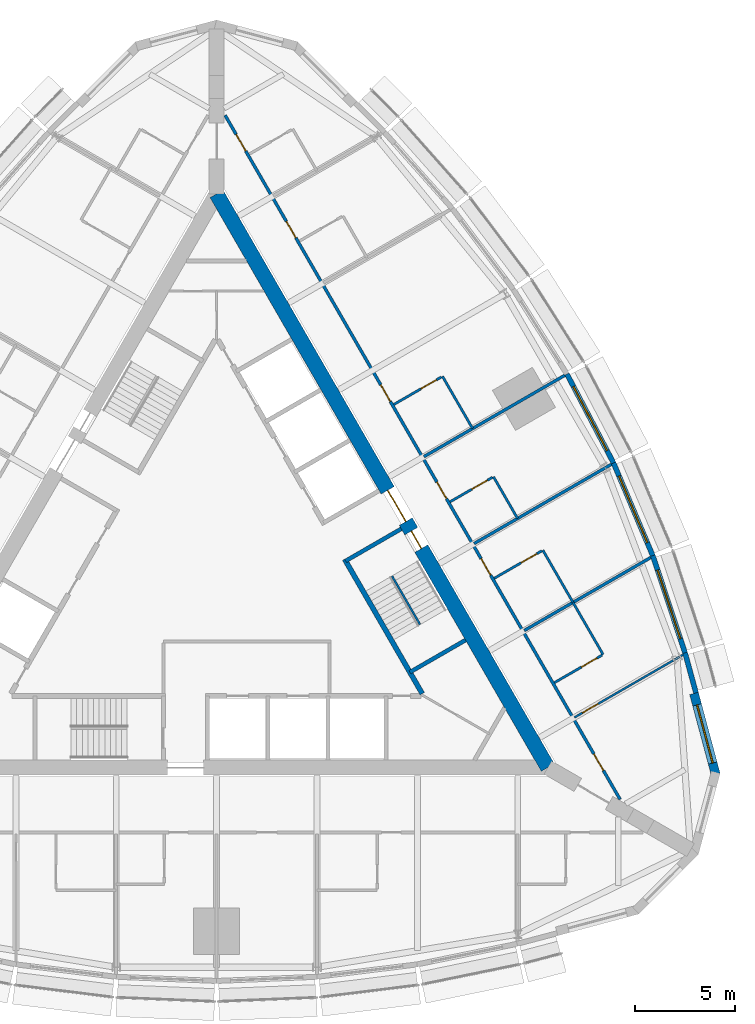
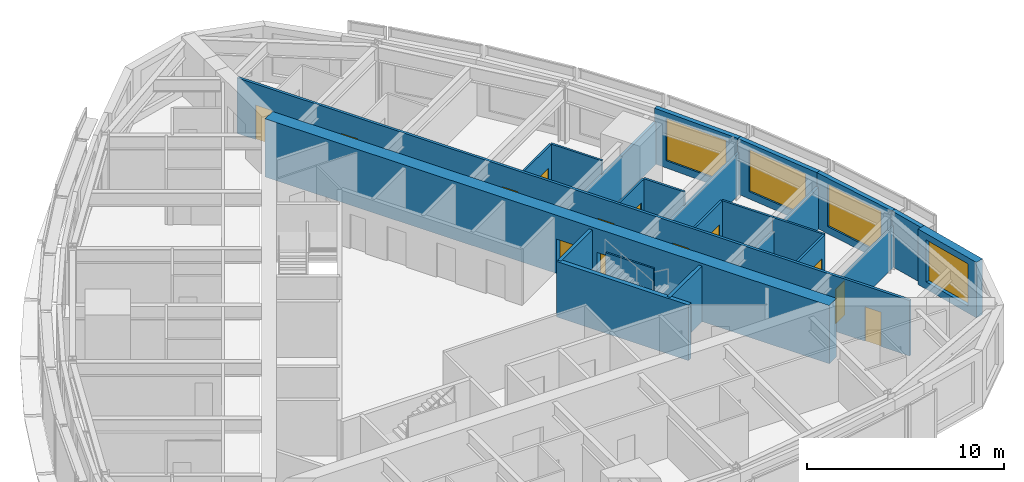
# One storey, part 12 of 15: 23 walls, 13 doors, 4 windows, 17 openings.
"""IFC4 building model written with IfcOpenShell, lengths in metres."""

from ifc_helpers import new_model, si_unit, direction, frame, frame_2d, origin, place, context, subcontext, project, spatial, rectangle, extrude, material, layer, layer_set, type_object, element, fill, save


model = new_model("IFC4")

# Units and contexts
model_context = context("Model", 3, precision=1e-05, world=origin(), true_north=direction((0.0, 1.0)))
body_context = subcontext(model_context, "Body", "Model", "MODEL_VIEW")
ifc_project = project(units=[si_unit("LENGTHUNIT", "METRE"), si_unit("AREAUNIT", "SQUARE_METRE"), si_unit("VOLUMEUNIT", "CUBIC_METRE"), si_unit("PLANEANGLEUNIT", "RADIAN"), si_unit("MASSUNIT", "GRAM", prefix="KILO")], contexts=[model_context])

# Site, building, storey
site_placement = place(None, origin())
site = spatial("IfcSite", under=ifc_project, at=site_placement, CompositionType="ELEMENT")
building_placement = place(site_placement, origin())
building = spatial("IfcBuilding", under=site, at=building_placement, Name="Trikona Tower", CompositionType="ELEMENT")
storey_placement = place(building_placement, frame((0.0, 0.0, 204.5)))
storey = spatial("IfcBuildingStorey", under=building, at=storey_placement, Name="L54", CompositionType="ELEMENT", Elevation=204.5)

# Wall
ifc_material_1 = material(Name="Metal stud and cement board", Category="gypsum")
ifc_layer_1 = layer(ifc_material_1, 0.1201171875)
ifc_layer_set_1 = layer_set([ifc_layer_1], Name="Bathroom wall 120")
wall_type_1 = type_object("IfcWallType", Name="Bathroom wall 120", PredefinedType="PLUMBINGWALL", material=ifc_layer_set_1)
wall_1_placement = place(storey_placement, frame((19.25341796875, -3.895263671875, 0.0), z_axis=(0.0, 0.0, 1.0), x_axis=(-0.499990139034, 0.866031096941, 0.0)))
element("IfcWall", 1, at=wall_1_placement, inside=storey, type_object=wall_type_1, Name="Bathroom wall 5406.1", PredefinedType="PLUMBINGWALL", context=body_context, shape_type="SweptSolid", body=[
    extrude(rectangle(XDim=3.0, YDim=0.1201171875, at=frame_2d((1.5, 0.0))), origin(), (0.0, 0.0, 1.0), 3.43505859375),
])

# Wall, opening, door
wall_2_placement = place(storey_placement, frame((16.82861328125, -5.295166015625, 0.0), z_axis=(0.0, 0.0, 1.0), x_axis=(0.866035715982, 0.499982138324, 0.0)))
wall_2 = element("IfcWall", 2, at=wall_2_placement, inside=storey, type_object=wall_type_1, Name="Bathroom wall 5406.1", PredefinedType="PLUMBINGWALL", context=body_context, shape_type="SweptSolid", body=[
    extrude(rectangle(XDim=2.73974609375, YDim=0.1201171875, at=frame_2d((1.369873046875, 0.0))), origin(), (0.0, 0.0, 1.0), 3.43505859375),
])
opening_1_placement = place(wall_2_placement, frame((1.550048828125, 0.0, 0.0)))
opening_1 = element("IfcOpeningElement", 3, at=opening_1_placement, cuts=wall_2, Name="Opening D2", PredefinedType="OPENING", context=body_context, shape_type="SweptSolid", body=[
    extrude(rectangle(XDim=0.89990234375, YDim=2.1298828125, at=frame_2d((0.449951171875, 1.06494140625))), frame((0.0, 0.070068359375, 0.0), z_axis=(0.0, -1.0, 0.0), x_axis=(1.0, 0.0, 0.0)), (0.0, 0.0, 1.0), 0.14013671875),
])
ifc_material_2 = material(Name="Steel door frame with solid-core timber leaf", Category="steel")
door_type_1 = type_object("IfcDoorType", Name="Bathroom door 900x2130", OperationType="SLIDING_TO_LEFT", PredefinedType="DOOR", material=ifc_material_2)
door_1_placement = place(opening_1_placement, origin())
door_1 = element("IfcDoor", 4, at=door_1_placement, inside=storey, type_object=door_type_1, Name="Bathroom door 5406.1", OperationType="SLIDING_TO_LEFT", OverallHeight=2.1298828125, OverallWidth=0.89990234375, PredefinedType="DOOR", context=body_context, shape_type="SweptSolid", body=[
    extrude(rectangle(XDim=0.89990234375, YDim=2.1298828125, at=frame_2d((0.449951171875, 1.06494140625))), frame((0.0, 0.02490234375, 0.0), z_axis=(0.0, -1.0, 0.0), x_axis=(1.0, 0.0, 0.0)), (0.0, 0.0, 1.0), 0.050048828125),
])
fill(opening_1, door_1)

# Wall
wall_3_placement = place(storey_placement, frame((17.75341796875, -1.297119140625, 0.0), z_axis=(0.0, 0.0, 1.0), x_axis=(-0.499990139034, 0.866031096941, 0.0)))
element("IfcWall", 5, at=wall_3_placement, inside=storey, type_object=wall_type_1, Name="Bathroom wall 5407", PredefinedType="PLUMBINGWALL", context=body_context, shape_type="SweptSolid", body=[
    extrude(rectangle(XDim=3.0, YDim=0.1201171875, at=frame_2d((1.5, 0.0))), origin(), (0.0, 0.0, 1.0), 3.43505859375),
])

# Wall, opening, door
wall_4_placement = place(storey_placement, frame((13.82861328125, -0.09912109375, 0.0), z_axis=(0.0, 0.0, 1.0), x_axis=(0.865997131366, 0.500048966069, 0.0)))
wall_4 = element("IfcWall", 6, at=wall_4_placement, inside=storey, type_object=wall_type_1, Name="Bathroom wall 5407", PredefinedType="PLUMBINGWALL", context=body_context, shape_type="SweptSolid", body=[
    extrude(rectangle(XDim=2.739990234375, YDim=0.1201171875, at=frame_2d((1.3701171875, 0.0))), origin(), (0.0, 0.0, 1.0), 3.43505859375),
])
opening_2_placement = place(wall_4_placement, frame((1.550048828125, 0.0, 0.0)))
opening_2 = element("IfcOpeningElement", 7, at=opening_2_placement, cuts=wall_4, Name="Opening D2", PredefinedType="OPENING", context=body_context, shape_type="SweptSolid", body=[
    extrude(rectangle(XDim=0.89990234375, YDim=2.1298828125, at=frame_2d((0.449951171875, 1.06494140625))), frame((0.0, 0.070068359375, 0.0), z_axis=(0.0, -1.0, 0.0), x_axis=(1.0, 0.0, 0.0)), (0.0, 0.0, 1.0), 0.14013671875),
])
door_2_placement = place(opening_2_placement, origin())
door_2 = element("IfcDoor", 8, at=door_2_placement, inside=storey, type_object=door_type_1, Name="Bathroom door 5407", OperationType="SLIDING_TO_LEFT", OverallHeight=2.1298828125, OverallWidth=0.89990234375, PredefinedType="DOOR", context=body_context, shape_type="SweptSolid", body=[
    extrude(rectangle(XDim=0.89990234375, YDim=2.1298828125, at=frame_2d((0.449951171875, 1.06494140625))), frame((0.0, 0.02490234375, 0.0), z_axis=(0.0, -1.0, 0.0), x_axis=(1.0, 0.0, 0.0)), (0.0, 0.0, 1.0), 0.050048828125),
])
fill(opening_2, door_2)

# Wall
wall_5_placement = place(storey_placement, frame((14.993408203125, 2.883056640625, 0.0), z_axis=(0.0, 0.0, 1.0), x_axis=(-0.500001309137, 0.866024647952, 0.0)))
element("IfcWall", 9, at=wall_5_placement, inside=storey, type_object=wall_type_1, Name="Bathroom wall 5408", PredefinedType="PLUMBINGWALL", context=body_context, shape_type="SweptSolid", body=[
    extrude(rectangle(XDim=2.39990234375, YDim=0.1201171875, at=frame_2d((1.199951171875, 0.0))), origin(), (0.0, 0.0, 1.0), 3.43505859375),
])

# Wall, opening, door
wall_6_placement = place(storey_placement, frame((11.62841796875, 3.71142578125, 0.0), z_axis=(0.0, 0.0, 1.0), x_axis=(0.866048967903, 0.499959183527, 0.0)))
wall_6 = element("IfcWall", 10, at=wall_6_placement, inside=storey, type_object=wall_type_1, Name="Bathroom wall 5408", PredefinedType="PLUMBINGWALL", context=body_context, shape_type="SweptSolid", body=[
    extrude(rectangle(XDim=2.440185546875, YDim=0.1201171875, at=frame_2d((1.22021484375, 0.0))), origin(), (0.0, 0.0, 1.0), 3.43505859375),
])
opening_3_placement = place(wall_6_placement, frame((1.25, 0.0, 0.0)))
opening_3 = element("IfcOpeningElement", 11, at=opening_3_placement, cuts=wall_6, Name="Opening D2", PredefinedType="OPENING", context=body_context, shape_type="SweptSolid", body=[
    extrude(rectangle(XDim=0.89990234375, YDim=2.1298828125, at=frame_2d((0.449951171875, 1.06494140625))), frame((0.0, 0.070068359375, 0.0), z_axis=(0.0, -1.0, 0.0), x_axis=(1.0, 0.0, 0.0)), (0.0, 0.0, 1.0), 0.14013671875),
])
door_3_placement = place(opening_3_placement, origin())
door_3 = element("IfcDoor", 12, at=door_3_placement, inside=storey, type_object=door_type_1, Name="Bathroom door 5408", OperationType="SLIDING_TO_LEFT", OverallHeight=2.1298828125, OverallWidth=0.89990234375, PredefinedType="DOOR", context=body_context, shape_type="SweptSolid", body=[
    extrude(rectangle(XDim=0.89990234375, YDim=2.1298828125, at=frame_2d((0.449951171875, 1.06494140625))), frame((0.0, 0.02490234375, 0.0), z_axis=(0.0, -1.0, 0.0), x_axis=(1.0, 0.0, 0.0)), (0.0, 0.0, 1.0), 0.050048828125),
])
fill(opening_3, door_3)

# Wall
wall_7_placement = place(storey_placement, frame((12.75341796875, 7.363037109375, 0.0), z_axis=(0.0, 0.0, 1.0), x_axis=(-0.499990139034, 0.866031096941, 0.0)))
element("IfcWall", 13, at=wall_7_placement, inside=storey, type_object=wall_type_1, Name="Bathroom wall 5409", PredefinedType="PLUMBINGWALL", context=body_context, shape_type="SweptSolid", body=[
    extrude(rectangle(XDim=3.0, YDim=0.1201171875, at=frame_2d((1.5, 0.0))), origin(), (0.0, 0.0, 1.0), 3.43505859375),
])

# Wall, opening, door
wall_8_placement = place(storey_placement, frame((8.82861328125, 8.561279296875, 0.0), z_axis=(0.0, 0.0, 1.0), x_axis=(0.866035715982, 0.499982138324, 0.0)))
wall_8 = element("IfcWall", 14, at=wall_8_placement, inside=storey, type_object=wall_type_1, Name="Bathroom wall 5409", PredefinedType="PLUMBINGWALL", context=body_context, shape_type="SweptSolid", body=[
    extrude(rectangle(XDim=2.73974609375, YDim=0.1201171875, at=frame_2d((1.369873046875, 0.0))), origin(), (0.0, 0.0, 1.0), 3.43505859375),
])
opening_4_placement = place(wall_8_placement, frame((1.550048828125, 0.0, 0.0)))
opening_4 = element("IfcOpeningElement", 15, at=opening_4_placement, cuts=wall_8, Name="Opening D2", PredefinedType="OPENING", context=body_context, shape_type="SweptSolid", body=[
    extrude(rectangle(XDim=0.89990234375, YDim=2.1298828125, at=frame_2d((0.449951171875, 1.06494140625))), frame((0.0, 0.070068359375, 0.0), z_axis=(0.0, -1.0, 0.0), x_axis=(1.0, 0.0, 0.0)), (0.0, 0.0, 1.0), 0.14013671875),
])
door_4_placement = place(opening_4_placement, origin())
door_4 = element("IfcDoor", 16, at=door_4_placement, inside=storey, type_object=door_type_1, Name="Bathroom door 5409", OperationType="SLIDING_TO_LEFT", OverallHeight=2.1298828125, OverallWidth=0.89990234375, PredefinedType="DOOR", context=body_context, shape_type="SweptSolid", body=[
    extrude(rectangle(XDim=0.89990234375, YDim=2.1298828125, at=frame_2d((0.449951171875, 1.06494140625))), frame((0.0, 0.02490234375, 0.0), z_axis=(0.0, -1.0, 0.0), x_axis=(1.0, 0.0, 0.0)), (0.0, 0.0, 1.0), 0.050048828125),
])
fill(opening_4, door_4)

# Wall, opening, window
ifc_material_3 = material(Name="Brick-faced precast concrete", Category="masonry")
ifc_layer_2 = layer(ifc_material_3, 0.449951171875)
ifc_layer_set_2 = layer_set([ifc_layer_2], Name="Brick-faced corner wall 450")
wall_type_2 = type_object("IfcWallType", Name="Brick-faced corner wall 450", PredefinedType="SOLIDWALL", material=ifc_layer_set_2)
wall_9_placement = place(storey_placement, frame((24.865478515625, -9.873291015625, 0.0), z_axis=(0.0, 0.0, 1.0), x_axis=(-0.258784695888, 0.965935029479, 0.0)))
wall_9 = element("IfcWall", 17, at=wall_9_placement, inside=storey, type_object=wall_type_2, Name="External wall L54-11", PredefinedType="SOLIDWALL", context=body_context, shape_type="SweptSolid", body=[
    extrude(rectangle(XDim=4.18408203125, YDim=0.449951171875, at=frame_2d((2.092041015625, 0.0))), origin(), (0.0, 0.0, 1.0), 3.43505859375),
])
opening_5_placement = place(wall_9_placement, frame((0.592041015625, 0.0, 0.449951171875)))
opening_5 = element("IfcOpeningElement", 18, at=opening_5_placement, cuts=wall_9, Name="Opening W3026", PredefinedType="OPENING", context=body_context, shape_type="SweptSolid", body=[
    extrude(rectangle(XDim=3.0, YDim=2.60009765625, at=frame_2d((1.5, 1.300048828125))), frame((0.0, 0.23486328125, 0.0), z_axis=(0.0, -1.0, 0.0), x_axis=(1.0, 0.0, 0.0)), (0.0, 0.0, 1.0), 0.469970703125),
])
ifc_material_4 = material(Name="Aluminium-framed double glazing", Category="aluminium")
window_type_1 = type_object("IfcWindowType", Name="Window 3000x2600", PartitioningType="SINGLE_PANEL", PredefinedType="WINDOW", material=ifc_material_4)
window_1_placement = place(opening_5_placement, origin())
window_1 = element("IfcWindow", 19, at=window_1_placement, inside=storey, type_object=window_type_1, Name="Window 5406", OverallHeight=2.60009765625, OverallWidth=3.0, PartitioningType="SINGLE_PANEL", PredefinedType="WINDOW", context=body_context, shape_type="SweptSolid", body=[
    extrude(rectangle(XDim=3.0, YDim=2.60009765625, at=frame_2d((1.5, 1.300048828125))), frame((0.0, 0.030029296875, 0.0), z_axis=(0.0, -1.0, 0.0), x_axis=(1.0, 0.0, 0.0)), (0.0, 0.0, 1.0), 0.06005859375),
])
fill(opening_5, window_1)

# Wall, openings, doors
ifc_material_5 = material(Name="Concrete f'c 10000 psi", Category="concrete")
ifc_layer_3 = layer(ifc_material_5, 0.75)
ifc_layer_set_3 = layer_set([ifc_layer_3], Name="Core wall 750")
wall_type_3 = type_object("IfcWallType", Name="Core wall 750", PredefinedType="SHEAR", material=ifc_layer_set_3)
wall_10_placement = place(storey_placement, frame((16.5, -9.5263671875, 0.0), z_axis=(0.0, 0.0, 1.0), x_axis=(-0.499999749417, 0.866025548458, 0.0)))
wall_10 = element("IfcWall", 20, at=wall_10_placement, inside=storey, type_object=wall_type_3, Name="Core wall B", PredefinedType="SHEAR", context=body_context, shape_type="SweptSolid", body=[
    extrude(rectangle(XDim=33.0, YDim=0.75, at=frame_2d((16.5, 0.0))), origin(), (0.0, 0.0, 1.0), 3.60009765625),
])
opening_6_placement = place(wall_10_placement, frame((14.14990234375, 0.0, 0.0)))
opening_6 = element("IfcOpeningElement", 21, at=opening_6_placement, cuts=wall_10, Name="Opening D6", PredefinedType="OPENING", context=body_context, shape_type="SweptSolid", body=[
    extrude(rectangle(XDim=1.800048828125, YDim=2.1298828125, at=frame_2d((0.89990234375, 1.06494140625))), frame((0.0, 0.385009765625, 0.0), z_axis=(0.0, -1.0, 0.0), x_axis=(1.0, 0.0, 0.0)), (0.0, 0.0, 1.0), 0.77001953125),
])
opening_7_placement = place(wall_10_placement, frame((12.60009765625, 0.0, 0.0)))
opening_7 = element("IfcOpeningElement", 22, at=opening_7_placement, cuts=wall_10, Name="Opening D5", PredefinedType="OPENING", context=body_context, shape_type="SweptSolid", body=[
    extrude(rectangle(XDim=1.0, YDim=2.1298828125, at=frame_2d((0.5, 1.06494140625))), frame((0.0, 0.385009765625, 0.0), z_axis=(0.0, -1.0, 0.0), x_axis=(1.0, 0.0, 0.0)), (0.0, 0.0, 1.0), 0.77001953125),
])
ifc_material_6 = material(Name="Hollow metal door and frame", Category="steel")
door_type_2 = type_object("IfcDoorType", Name="Lobby door pair 1800x2130", OperationType="DOUBLE_DOOR_SINGLE_SWING", PredefinedType="DOOR", material=ifc_material_6)
door_5_placement = place(opening_6_placement, origin())
door_5 = element("IfcDoor", 23, at=door_5_placement, inside=storey, type_object=door_type_2, Name="Lift lobby door B", OperationType="DOUBLE_DOOR_SINGLE_SWING", OverallHeight=2.1298828125, OverallWidth=1.800048828125, PredefinedType="DOOR", context=body_context, shape_type="SweptSolid", body=[
    extrude(rectangle(XDim=1.800048828125, YDim=2.1298828125, at=frame_2d((0.89990234375, 1.06494140625))), frame((0.0, 0.02490234375, 0.0), z_axis=(0.0, -1.0, 0.0), x_axis=(1.0, 0.0, 0.0)), (0.0, 0.0, 1.0), 0.050048828125),
])
fill(opening_6, door_5)
ifc_material_7 = material(Name="Hollow metal door and frame", Category="steel")
door_type_3 = type_object("IfcDoorType", Name="Stair door 1000x2130", OperationType="SINGLE_SWING_LEFT", PredefinedType="DOOR", material=ifc_material_7)
door_6_placement = place(opening_7_placement, origin())
door_6 = element("IfcDoor", 24, at=door_6_placement, inside=storey, type_object=door_type_3, Name="Stair B door", OperationType="SINGLE_SWING_RIGHT", OverallHeight=2.1298828125, OverallWidth=1.0, PredefinedType="DOOR", context=body_context, shape_type="SweptSolid", body=[
    extrude(rectangle(XDim=1.0, YDim=2.1298828125, at=frame_2d((0.5, 1.06494140625))), frame((0.0, 0.02490234375, 0.0), z_axis=(0.0, -1.0, 0.0), x_axis=(1.0, 0.0, 0.0)), (0.0, 0.0, 1.0), 0.050048828125),
])
fill(opening_7, door_6)

ifc_material_8 = material(Name="Metal stud and gypsum board, 1-hour", Category="gypsum")
ifc_layer_4 = layer(ifc_material_8, 0.14990234375)
ifc_layer_set_4 = layer_set([ifc_layer_4], Name="Corridor wall 150")
wall_type_4 = type_object("IfcWallType", Name="Corridor wall 150", PredefinedType="PARTITIONING", material=ifc_layer_set_4)
wall_11_placement = place(storey_placement, frame((20.10205078125, -11.115234375, 0.0), z_axis=(0.0, 0.0, 1.0), x_axis=(-0.500000265775, 0.866025250339, 0.0)))
wall_11 = element("IfcWall", 25, at=wall_11_placement, inside=storey, type_object=wall_type_4, Name="Corridor wall L54-2", PredefinedType="PARTITIONING", context=body_context, shape_type="SweptSolid", body=[
    extrude(rectangle(XDim=39.35400390625, YDim=0.14990234375, at=frame_2d((19.677001953125, 0.0))), origin(), (0.0, 0.0, 1.0), 3.43505859375),
])
opening_8_placement = place(wall_11_placement, frame((1.6650390625, 0.0, 0.0)))
opening_8 = element("IfcOpeningElement", 26, at=opening_8_placement, cuts=wall_11, Name="Opening D1", PredefinedType="OPENING", context=body_context, shape_type="SweptSolid", body=[
    extrude(rectangle(XDim=0.949951171875, YDim=2.1298828125, at=frame_2d((0.47509765625, 1.06494140625))), frame((0.0, 0.0849609375, 0.0), z_axis=(0.0, -1.0, 0.0), x_axis=(1.0, 0.0, 0.0)), (0.0, 0.0, 1.0), 0.169921875),
])
opening_9_placement = place(wall_11_placement, frame((12.902099609375, 0.0, 0.0)))
opening_9 = element("IfcOpeningElement", 27, at=opening_9_placement, cuts=wall_11, Name="Opening D1", PredefinedType="OPENING", context=body_context, shape_type="SweptSolid", body=[
    extrude(rectangle(XDim=0.949951171875, YDim=2.1298828125, at=frame_2d((0.47509765625, 1.06494140625))), frame((0.0, 0.0849609375, 0.0), z_axis=(0.0, -1.0, 0.0), x_axis=(1.0, 0.0, 0.0)), (0.0, 0.0, 1.0), 0.169921875),
])
opening_10_placement = place(wall_11_placement, frame((17.302001953125, 0.0, 0.0)))
opening_10 = element("IfcOpeningElement", 28, at=opening_10_placement, cuts=wall_11, Name="Opening D1", PredefinedType="OPENING", context=body_context, shape_type="SweptSolid", body=[
    extrude(rectangle(XDim=0.949951171875, YDim=2.1298828125, at=frame_2d((0.47509765625, 1.06494140625))), frame((0.0, 0.0849609375, 0.0), z_axis=(0.0, -1.0, 0.0), x_axis=(1.0, 0.0, 0.0)), (0.0, 0.0, 1.0), 0.169921875),
])
opening_11_placement = place(wall_11_placement, frame((22.902099609375, 0.0, 0.0)))
opening_11 = element("IfcOpeningElement", 29, at=opening_11_placement, cuts=wall_11, Name="Opening D1", PredefinedType="OPENING", context=body_context, shape_type="SweptSolid", body=[
    extrude(rectangle(XDim=0.949951171875, YDim=2.1298828125, at=frame_2d((0.47509765625, 1.06494140625))), frame((0.0, 0.0849609375, 0.0), z_axis=(0.0, -1.0, 0.0), x_axis=(1.0, 0.0, 0.0)), (0.0, 0.0, 1.0), 0.169921875),
])
opening_12_placement = place(wall_11_placement, frame((32.302001953125, 0.0, 0.0)))
opening_12 = element("IfcOpeningElement", 30, at=opening_12_placement, cuts=wall_11, Name="Opening D1", PredefinedType="OPENING", context=body_context, shape_type="SweptSolid", body=[
    extrude(rectangle(XDim=0.949951171875, YDim=2.1298828125, at=frame_2d((0.47509765625, 1.06494140625))), frame((0.0, 0.0849609375, 0.0), z_axis=(0.0, -1.0, 0.0), x_axis=(1.0, 0.0, 0.0)), (0.0, 0.0, 1.0), 0.169921875),
])
opening_13_placement = place(wall_11_placement, frame((37.302001953125, 0.0, 0.0)))
opening_13 = element("IfcOpeningElement", 31, at=opening_13_placement, cuts=wall_11, Name="Opening D1", PredefinedType="OPENING", context=body_context, shape_type="SweptSolid", body=[
    extrude(rectangle(XDim=0.949951171875, YDim=2.1298828125, at=frame_2d((0.47509765625, 1.06494140625))), frame((0.0, 0.0849609375, 0.0), z_axis=(0.0, -1.0, 0.0), x_axis=(1.0, 0.0, 0.0)), (0.0, 0.0, 1.0), 0.169921875),
])
ifc_material_9 = material(Name="Steel door frame with solid-core timber leaf", Category="steel")
door_type_4 = type_object("IfcDoorType", Name="Guest room door 950x2130", OperationType="SINGLE_SWING_LEFT", PredefinedType="DOOR", material=ifc_material_9)
door_7_placement = place(opening_8_placement, origin())
door_7 = element("IfcDoor", 32, at=door_7_placement, inside=storey, type_object=door_type_4, Name="Room door 5406", OperationType="SINGLE_SWING_LEFT", OverallHeight=2.1298828125, OverallWidth=0.949951171875, PredefinedType="DOOR", context=body_context, shape_type="SweptSolid", body=[
    extrude(rectangle(XDim=0.949951171875, YDim=2.1298828125, at=frame_2d((0.47509765625, 1.06494140625))), frame((0.0, 0.02490234375, 0.0), z_axis=(0.0, -1.0, 0.0), x_axis=(1.0, 0.0, 0.0)), (0.0, 0.0, 1.0), 0.050048828125),
])
fill(opening_8, door_7)
door_8_placement = place(opening_9_placement, origin())
door_8 = element("IfcDoor", 33, at=door_8_placement, inside=storey, type_object=door_type_4, Name="Room door 5407", OperationType="SINGLE_SWING_RIGHT", OverallHeight=2.1298828125, OverallWidth=0.949951171875, PredefinedType="DOOR", context=body_context, shape_type="SweptSolid", body=[
    extrude(rectangle(XDim=0.949951171875, YDim=2.1298828125, at=frame_2d((0.47509765625, 1.06494140625))), frame((0.0, 0.02490234375, 0.0), z_axis=(0.0, -1.0, 0.0), x_axis=(1.0, 0.0, 0.0)), (0.0, 0.0, 1.0), 0.050048828125),
])
fill(opening_9, door_8)
door_9_placement = place(opening_10_placement, origin())
door_9 = element("IfcDoor", 34, at=door_9_placement, inside=storey, type_object=door_type_4, Name="Room door 5408", OperationType="SINGLE_SWING_LEFT", OverallHeight=2.1298828125, OverallWidth=0.949951171875, PredefinedType="DOOR", context=body_context, shape_type="SweptSolid", body=[
    extrude(rectangle(XDim=0.949951171875, YDim=2.1298828125, at=frame_2d((0.47509765625, 1.06494140625))), frame((0.0, 0.02490234375, 0.0), z_axis=(0.0, -1.0, 0.0), x_axis=(1.0, 0.0, 0.0)), (0.0, 0.0, 1.0), 0.050048828125),
])
fill(opening_10, door_9)
door_10_placement = place(opening_11_placement, origin())
door_10 = element("IfcDoor", 35, at=door_10_placement, inside=storey, type_object=door_type_4, Name="Room door 5409", OperationType="SINGLE_SWING_RIGHT", OverallHeight=2.1298828125, OverallWidth=0.949951171875, PredefinedType="DOOR", context=body_context, shape_type="SweptSolid", body=[
    extrude(rectangle(XDim=0.949951171875, YDim=2.1298828125, at=frame_2d((0.47509765625, 1.06494140625))), frame((0.0, 0.02490234375, 0.0), z_axis=(0.0, -1.0, 0.0), x_axis=(1.0, 0.0, 0.0)), (0.0, 0.0, 1.0), 0.050048828125),
])
fill(opening_11, door_10)
door_11_placement = place(opening_12_placement, origin())
door_11 = element("IfcDoor", 36, at=door_11_placement, inside=storey, type_object=door_type_4, Name="Room door 5410", OperationType="SINGLE_SWING_LEFT", OverallHeight=2.1298828125, OverallWidth=0.949951171875, PredefinedType="DOOR", context=body_context, shape_type="SweptSolid", body=[
    extrude(rectangle(XDim=0.949951171875, YDim=2.1298828125, at=frame_2d((0.47509765625, 1.06494140625))), frame((0.0, 0.02490234375, 0.0), z_axis=(0.0, -1.0, 0.0), x_axis=(1.0, 0.0, 0.0)), (0.0, 0.0, 1.0), 0.050048828125),
])
fill(opening_12, door_11)
door_12_placement = place(opening_13_placement, origin())
door_12 = element("IfcDoor", 37, at=door_12_placement, inside=storey, type_object=door_type_4, Name="Room door 5411", OperationType="SINGLE_SWING_RIGHT", OverallHeight=2.1298828125, OverallWidth=0.949951171875, PredefinedType="DOOR", context=body_context, shape_type="SweptSolid", body=[
    extrude(rectangle(XDim=0.949951171875, YDim=2.1298828125, at=frame_2d((0.47509765625, 1.06494140625))), frame((0.0, 0.02490234375, 0.0), z_axis=(0.0, -1.0, 0.0), x_axis=(1.0, 0.0, 0.0)), (0.0, 0.0, 1.0), 0.050048828125),
])
fill(opening_13, door_12)

# Walls
ifc_material_10 = material(Name="Concrete f'c 8000 psi", Category="concrete")
ifc_layer_5 = layer(ifc_material_10, 0.25)
ifc_layer_set_5 = layer_set([ifc_layer_5], Name="Hub wall 250")
wall_type_5 = type_object("IfcWallType", Name="Hub wall 250", PredefinedType="SOLIDWALL", material=ifc_layer_set_5)
wall_12_placement = place(storey_placement, frame((10.245361328125, -5.843017578125, 0.0), z_axis=(0.0, 0.0, 1.0), x_axis=(-0.499993009313, 0.866029439822, 0.0)))
element("IfcWall", 38, at=wall_12_placement, inside=storey, type_object=wall_type_5, Name="Lift lobby wall B1", PredefinedType="SOLIDWALL", context=body_context, shape_type="SweptSolid", body=[
    extrude(rectangle(XDim=7.73291015625, YDim=0.25, at=frame_2d((3.866455078125, 0.0))), origin(), (0.0, 0.0, 1.0), 3.43505859375),
])
ifc_material_11 = material(Name="Insulated precast concrete spandrel panel", Category="concrete")
ifc_layer_6 = layer(ifc_material_11, 0.25)
ifc_layer_set_6 = layer_set([ifc_layer_6], Name="Inner skin wall 250")
wall_type_6 = type_object("IfcWallType", Name="Inner skin wall 250", PredefinedType="STANDARD", material=ifc_layer_set_6)
wall_13_placement = place(storey_placement, frame((23.87939453125, -5.806396484375, 0.0), z_axis=(0.0, 0.0, 1.0), x_axis=(-0.262867703986, 0.964831887015, 0.0)))
element("IfcWall", 39, at=wall_13_placement, inside=storey, type_object=wall_type_6, Name="External wall L54-12", PredefinedType="STANDARD", context=body_context, shape_type="SweptSolid", body=[
    extrude(rectangle(XDim=2.068359375, YDim=0.25, at=frame_2d((1.0341796875, 0.0))), origin(), (0.0, 0.0, 1.0), 3.43505859375),
])

# Wall, opening, window
wall_14_placement = place(storey_placement, frame((23.337890625, -3.8173828125, 0.0), z_axis=(0.0, 0.0, 1.0), x_axis=(-0.315108478109, 0.949055660656, 0.0)))
wall_14 = element("IfcWall", 40, at=wall_14_placement, inside=storey, type_object=wall_type_6, Name="External wall L54-13", PredefinedType="STANDARD", context=body_context, shape_type="SweptSolid", body=[
    extrude(rectangle(XDim=5.10498046875, YDim=0.25, at=frame_2d((2.552490234375, 0.0))), origin(), (0.0, 0.0, 1.0), 3.43505859375),
])
opening_14_placement = place(wall_14_placement, frame((0.75244140625, 0.0, 0.449951171875)))
opening_14 = element("IfcOpeningElement", 41, at=opening_14_placement, cuts=wall_14, Name="Opening W3626", PredefinedType="OPENING", context=body_context, shape_type="SweptSolid", body=[
    extrude(rectangle(XDim=3.60009765625, YDim=2.60009765625, at=frame_2d((1.800048828125, 1.300048828125))), frame((0.0, 0.135009765625, 0.0), z_axis=(0.0, -1.0, 0.0), x_axis=(1.0, 0.0, 0.0)), (0.0, 0.0, 1.0), 0.27001953125),
])
ifc_material_12 = material(Name="Aluminium-framed double glazing", Category="aluminium")
window_type_2 = type_object("IfcWindowType", Name="Window 3600x2600", PartitioningType="SINGLE_PANEL", PredefinedType="WINDOW", material=ifc_material_12)
window_2_placement = place(opening_14_placement, origin())
window_2 = element("IfcWindow", 42, at=window_2_placement, inside=storey, type_object=window_type_2, Name="Window 5406.1", OverallHeight=2.60009765625, OverallWidth=3.60009765625, PartitioningType="SINGLE_PANEL", PredefinedType="WINDOW", context=body_context, shape_type="SweptSolid", body=[
    extrude(rectangle(XDim=3.60009765625, YDim=2.60009765625, at=frame_2d((1.800048828125, 1.300048828125))), frame((0.0, 0.030029296875, 0.0), z_axis=(0.0, -1.0, 0.0), x_axis=(1.0, 0.0, 0.0)), (0.0, 0.0, 1.0), 0.06005859375),
])
fill(opening_14, window_2)

wall_15_placement = place(storey_placement, frame((21.73291015625, 1.01806640625, 0.0), z_axis=(0.0, 0.0, 1.0), x_axis=(-0.390096809471, 0.920773848044, 0.0)))
wall_15 = element("IfcWall", 43, at=wall_15_placement, inside=storey, type_object=wall_type_6, Name="External wall L54-14", PredefinedType="STANDARD", context=body_context, shape_type="SweptSolid", body=[
    extrude(rectangle(XDim=5.0380859375, YDim=0.25, at=frame_2d((2.51904296875, 0.0))), origin(), (0.0, 0.0, 1.0), 3.43505859375),
])
opening_15_placement = place(wall_15_placement, frame((0.718994140625, 0.0, 0.449951171875)))
opening_15 = element("IfcOpeningElement", 44, at=opening_15_placement, cuts=wall_15, Name="Opening W3626", PredefinedType="OPENING", context=body_context, shape_type="SweptSolid", body=[
    extrude(rectangle(XDim=3.60009765625, YDim=2.60009765625, at=frame_2d((1.800048828125, 1.300048828125))), frame((0.0, 0.135009765625, 0.0), z_axis=(0.0, -1.0, 0.0), x_axis=(1.0, 0.0, 0.0)), (0.0, 0.0, 1.0), 0.27001953125),
])
window_3_placement = place(opening_15_placement, origin())
window_3 = element("IfcWindow", 45, at=window_3_placement, inside=storey, type_object=window_type_2, Name="Window 5407", OverallHeight=2.60009765625, OverallWidth=3.60009765625, PartitioningType="SINGLE_PANEL", PredefinedType="WINDOW", context=body_context, shape_type="SweptSolid", body=[
    extrude(rectangle(XDim=3.60009765625, YDim=2.60009765625, at=frame_2d((1.800048828125, 1.300048828125))), frame((0.0, 0.030029296875, 0.0), z_axis=(0.0, -1.0, 0.0), x_axis=(1.0, 0.0, 0.0)), (0.0, 0.0, 1.0), 0.06005859375),
])
fill(opening_15, window_3)

wall_16_placement = place(storey_placement, frame((19.772216796875, 5.64794921875, 0.0), z_axis=(0.0, 0.0, 1.0), x_axis=(-0.463976002579, 0.885847768542, 0.0)))
wall_16 = element("IfcWall", 46, at=wall_16_placement, inside=storey, type_object=wall_type_6, Name="External wall L54-15", PredefinedType="STANDARD", context=body_context, shape_type="SweptSolid", body=[
    extrude(rectangle(XDim=5.004150390625, YDim=0.25, at=frame_2d((2.501953125, 0.0))), origin(), (0.0, 0.0, 1.0), 3.43505859375),
])
opening_16_placement = place(wall_16_placement, frame((0.7021484375, 0.0, 0.449951171875)))
opening_16 = element("IfcOpeningElement", 47, at=opening_16_placement, cuts=wall_16, Name="Opening W3626", PredefinedType="OPENING", context=body_context, shape_type="SweptSolid", body=[
    extrude(rectangle(XDim=3.60009765625, YDim=2.60009765625, at=frame_2d((1.800048828125, 1.300048828125))), frame((0.0, 0.135009765625, 0.0), z_axis=(0.0, -1.0, 0.0), x_axis=(1.0, 0.0, 0.0)), (0.0, 0.0, 1.0), 0.27001953125),
])
window_4_placement = place(opening_16_placement, origin())
window_4 = element("IfcWindow", 48, at=window_4_placement, inside=storey, type_object=window_type_2, Name="Window 5408", OverallHeight=2.60009765625, OverallWidth=3.60009765625, PartitioningType="SINGLE_PANEL", PredefinedType="WINDOW", context=body_context, shape_type="SweptSolid", body=[
    extrude(rectangle(XDim=3.60009765625, YDim=2.60009765625, at=frame_2d((1.800048828125, 1.300048828125))), frame((0.0, 0.030029296875, 0.0), z_axis=(0.0, -1.0, 0.0), x_axis=(1.0, 0.0, 0.0)), (0.0, 0.0, 1.0), 0.06005859375),
])
fill(opening_16, window_4)

# Walls
ifc_material_13 = material(Name="Metal stud and gypsum board, 1-hour acoustic", Category="gypsum")
ifc_layer_7 = layer(ifc_material_13, 0.14990234375)
ifc_layer_set_7 = layer_set([ifc_layer_7], Name="Party wall 150")
wall_type_7 = type_object("IfcWallType", Name="Party wall 150", PredefinedType="PARTITIONING", material=ifc_layer_set_7)
wall_17_placement = place(storey_placement, frame((15.32861328125, -2.697021484375, 0.0), z_axis=(0.0, 0.0, 1.0), x_axis=(0.866032413668, 0.499987858329, 0.0)))
element("IfcWall", 49, at=wall_17_placement, inside=storey, type_object=wall_type_7, Name="Partition L54 F2 u-10", PredefinedType="PARTITIONING", context=body_context, shape_type="SweptSolid", body=[
    extrude(rectangle(XDim=7.272705078125, YDim=0.14990234375, at=frame_2d((3.63623046875, 0.0))), origin(), (0.0, 0.0, 1.0), 2.589111328125),
])
wall_18_placement = place(storey_placement, frame((12.82861328125, 1.633056640625, 0.0), z_axis=(0.0, 0.0, 1.0), x_axis=(0.866030558329, 0.49999107196, 0.0)))
element("IfcWall", 50, at=wall_18_placement, inside=storey, type_object=wall_type_7, Name="Partition L54 F2 u-5", PredefinedType="PARTITIONING", context=body_context, shape_type="SweptSolid", body=[
    extrude(rectangle(XDim=7.893798828125, YDim=0.14990234375, at=frame_2d((3.94677734375, 0.0))), origin(), (0.0, 0.0, 1.0), 2.589111328125),
])
wall_19_placement = place(storey_placement, frame((10.32861328125, 5.963134765625, 0.0), z_axis=(0.0, 0.0, 1.0), x_axis=(0.866016460812, 0.500015489362, 0.0)))
element("IfcWall", 51, at=wall_19_placement, inside=storey, type_object=wall_type_7, Name="Partition L54 F2 u-2.10942e-15", PredefinedType="PARTITIONING", context=body_context, shape_type="SweptSolid", body=[
    extrude(rectangle(XDim=8.101318359375, YDim=0.14990234375, at=frame_2d((4.05078125, 0.0))), origin(), (0.0, 0.0, 1.0), 2.589111328125),
])
ifc_material_14 = material(Name="Concrete f'c 8000 psi", Category="concrete")
ifc_layer_8 = layer(ifc_material_14, 0.199951171875)
ifc_layer_set_8 = layer_set([ifc_layer_8], Name="Shaft wall 200 load-bearing")
wall_type_8 = type_object("IfcWallType", Name="Shaft wall 200 load-bearing", PredefinedType="SOLIDWALL", material=ifc_layer_set_8)
for number, where, z_axis, x_axis, name in (
    (52, (9.62890625, -4.775390625, 0.0), (0.0, 0.0, 1.0), (0.866008981251, 0.500028443584, 0.0), "Shaft wall B1"),
    (53, (6.428955078125, 0.767333984375, 0.0), (0.0, 0.0, 1.0), (0.866042017984, 0.499971222258, 0.0), "Shaft wall B2"),
):
    element("IfcWall", number, at=place(storey_placement, frame(where, z_axis=z_axis, x_axis=x_axis)), inside=storey, type_object=wall_type_8, Name=name, PredefinedType="SOLIDWALL", context=body_context, shape_type="SweptSolid", body=[
        extrude(rectangle(XDim=3.199951171875, YDim=0.199951171875, at=frame_2d((1.60009765625, 0.0))), origin(), (0.0, 0.0, 1.0), 3.43505859375),
    ])
ifc_material_15 = material(Name="Concrete f'c 5000 psi", Category="concrete")
ifc_layer_9 = layer(ifc_material_15, 0.10009765625)
ifc_layer_set_9 = layer_set([ifc_layer_9], Name="Stair spine wall 100")
wall_type_9 = type_object("IfcWallType", Name="Stair spine wall 100", PredefinedType="SOLIDWALL", material=ifc_layer_set_9)
wall_20_placement = place(storey_placement, frame((10.134765625, -2.4013671875, 0.0), z_axis=(0.0, 0.0, 1.0), x_axis=(-0.499992232847, 0.866029888106, 0.0)))
element("IfcWall", 54, at=wall_20_placement, inside=storey, type_object=wall_type_9, Name="Stair B spine wall L54", PredefinedType="SOLIDWALL", context=body_context, shape_type="SweptSolid", body=[
    extrude(rectangle(XDim=2.7939453125, YDim=0.10009765625, at=frame_2d((1.39697265625, 0.0))), origin(), (0.0, 0.0, 1.0), 3.60009765625),
])

# Wall, opening, door
ifc_material_16 = material(Name="Metal stud and gypsum board, acoustic", Category="gypsum")
ifc_layer_10 = layer(ifc_material_16, 0.10009765625)
ifc_layer_set_10 = layer_set([ifc_layer_10], Name="Suite partition 100")
wall_type_10 = type_object("IfcWallType", Name="Suite partition 100", PredefinedType="PARTITIONING", material=ifc_layer_set_10)
wall_21_placement = place(storey_placement, frame((17.82861328125, -7.027099609375, 0.0), z_axis=(0.0, 0.0, 1.0), x_axis=(0.866026604282, 0.499997920671, 0.0)))
wall_21 = element("IfcWall", 55, at=wall_21_placement, inside=storey, type_object=wall_type_10, Name="Suite partition L54 F2 u-15", PredefinedType="PARTITIONING", context=body_context, shape_type="SweptSolid", body=[
    extrude(rectangle(XDim=6.23974609375, YDim=0.10009765625, at=frame_2d((3.119873046875, 0.0))), origin(), (0.0, 0.0, 1.0), 2.589111328125),
])
opening_17_placement = place(wall_21_placement, frame((0.449951171875, 0.0, 0.0)))
opening_17 = element("IfcOpeningElement", 56, at=opening_17_placement, cuts=wall_21, Name="Opening D13", PredefinedType="OPENING", context=body_context, shape_type="SweptSolid", body=[
    extrude(rectangle(XDim=0.89990234375, YDim=2.1298828125, at=frame_2d((0.449951171875, 1.06494140625))), frame((0.0, 0.06005859375, 0.0), z_axis=(0.0, -1.0, 0.0), x_axis=(1.0, 0.0, 0.0)), (0.0, 0.0, 1.0), 0.1201171875),
])
ifc_material_17 = material(Name="Steel door frame with solid-core timber leaf", Category="steel")
door_type_5 = type_object("IfcDoorType", Name="Suite door 900x2130", OperationType="SINGLE_SWING_LEFT", PredefinedType="DOOR", material=ifc_material_17)
door_13_placement = place(opening_17_placement, origin())
door_13 = element("IfcDoor", 57, at=door_13_placement, inside=storey, type_object=door_type_5, Name="Suite door 5406", OperationType="SINGLE_SWING_LEFT", OverallHeight=2.1298828125, OverallWidth=0.89990234375, PredefinedType="DOOR", context=body_context, shape_type="SweptSolid", body=[
    extrude(rectangle(XDim=0.89990234375, YDim=2.1298828125, at=frame_2d((0.449951171875, 1.06494140625))), frame((0.0, 0.02490234375, 0.0), z_axis=(0.0, -1.0, 0.0), x_axis=(1.0, 0.0, 0.0)), (0.0, 0.0, 1.0), 0.050048828125),
])
fill(opening_17, door_13)

save(model, "model.ifc")
